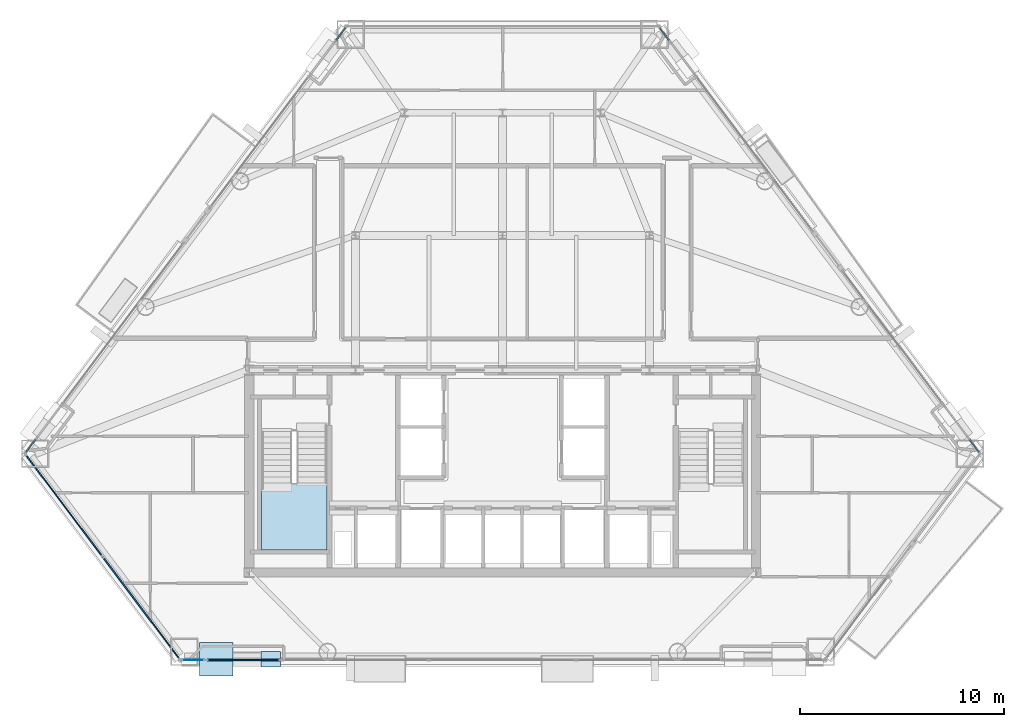
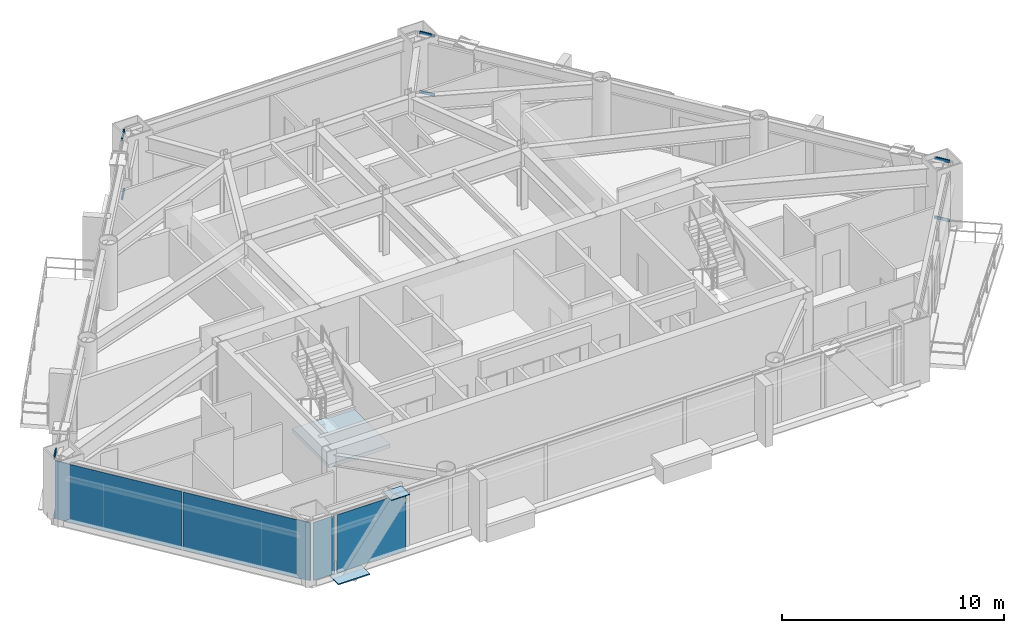
# One storey, part 5 of 14: 8 members, 6 plates, 1 slab, 8 elements without a shape of their own.
"""IFC4 building model written with IfcOpenShell, lengths in metres."""

from ifc_helpers import new_model, si_unit, direction, frame, origin, origin_2d, place, context, subcontext, project, spatial, polyline, rectangle, outline, extrude, source, transform, mapped, material, layer, layer_set, material_profile, profile_set, type_object, type_shapes, element, aggregate, save


model = new_model("IFC4")

# Units and contexts
model_context = context("Model", 3, precision=1e-05, world=origin(), true_north=direction((0.0, 1.0)))
body_context = subcontext(model_context, "Body", "Model", "MODEL_VIEW")
ifc_project = project(units=[si_unit("LENGTHUNIT", "METRE"), si_unit("AREAUNIT", "SQUARE_METRE"), si_unit("VOLUMEUNIT", "CUBIC_METRE"), si_unit("PLANEANGLEUNIT", "RADIAN"), si_unit("MASSUNIT", "GRAM", prefix="KILO")], contexts=[model_context])

# Site, building, storey
site_placement = place(None, origin())
site = spatial("IfcSite", under=ifc_project, at=site_placement, CompositionType="ELEMENT")
building_placement = place(site_placement, origin())
building = spatial("IfcBuilding", under=site, at=building_placement, Name="Talgorran Terracotta Tower", CompositionType="ELEMENT")
storey_placement = place(building_placement, frame((0.0, 0.0, 56.699951171875)))
storey = spatial("IfcBuildingStorey", under=building, at=storey_placement, Name="L14", CompositionType="ELEMENT", Elevation=56.699951171875)

# Curtain wall, members
ifc_material_1 = material(Name="Unitised Low-E Double Glazing", Category="glass")
ifc_layer_1 = layer(ifc_material_1, 0.199951171875, Name="CW_SYS2_RES_LOW")
ifc_layer_set_1 = layer_set([ifc_layer_1], Name="Unitised Low-E Double Glazing")
curtain_wall_type = type_object("IfcCurtainWallType", Name="CW_SYS2_RES_LOW", PredefinedType="NOTDEFINED", material=ifc_layer_set_1)
curtain_wall_1_placement = place(storey_placement, origin())
curtain_wall_1 = element("IfcCurtainWall", 1, at=curtain_wall_1_placement, inside=storey, type_object=curtain_wall_type, Name="CW-L14-F40", PredefinedType="NOTDEFINED")
ifc_material_2 = material(Name="Architectural Aluminium 6063-T6", Category="aluminium")
ifc_material_profile = material_profile(ifc_material_2, rectangle(XDim=0.06494140625, YDim=0.14990234375, at=origin_2d()), Name="CWT65X150")
ifc_profile_set = profile_set([ifc_material_profile], Name="Architectural Aluminium 6063-T6")
member_type = type_object("IfcMemberType", Name="TRN_65X150", PredefinedType="USERDEFINED", material=ifc_profile_set)
member_1_placement = place(storey_placement, frame((23.32275390625, -8.20263671875, 0.032470703125), z_axis=(-0.601407243549, 0.798942630861, 0.0), x_axis=(-0.798942630861, -0.601407243549, 0.0)))
member_1 = element("IfcMember", 2, at=member_1_placement, type_object=member_type, Name="CW-L14-40 transom 1.1", ObjectType="TRANSOM", PredefinedType="USERDEFINED", context=body_context, shape_type="SweptSolid", body=[
    extrude(rectangle(XDim=0.06494140625, YDim=0.14990234375, at=origin_2d()), origin(), (0.0, 0.0, 1.0), 0.7490234375),
])
member_2_placement = place(storey_placement, frame((23.32275390625, -8.20263671875, 3.28759765625), z_axis=(-0.601407243549, 0.798942630861, 0.0), x_axis=(-0.798942630861, -0.601407243549, 0.0)))
member_2 = element("IfcMember", 3, at=member_2_placement, type_object=member_type, Name="CW-L14-40 transom 1.2", ObjectType="TRANSOM", PredefinedType="USERDEFINED", context=body_context, shape_type="SweptSolid", body=[
    extrude(rectangle(XDim=0.06494140625, YDim=0.14990234375, at=origin_2d()), origin(), (0.0, 0.0, 1.0), 0.7490234375),
])
aggregate(curtain_wall_1, [member_1, member_2])

curtain_wall_2_placement = place(storey_placement, origin())
curtain_wall_2 = element("IfcCurtainWall", 4, at=curtain_wall_2_placement, inside=storey, type_object=curtain_wall_type, Name="CW-L14-F41C", PredefinedType="NOTDEFINED")
member_3_placement = place(storey_placement, frame((8.144775390625, 11.959228515625, 0.032470703125), z_axis=(-0.601532474863, 0.798848347113, 0.0), x_axis=(-0.798848347113, -0.601532474863, 0.0)))
member_3 = element("IfcMember", 5, at=member_3_placement, type_object=member_type, Name="CW-L14-41C transom 1.1", ObjectType="TRANSOM", PredefinedType="USERDEFINED", context=body_context, shape_type="SweptSolid", body=[
    extrude(rectangle(XDim=0.06494140625, YDim=0.14990234375, at=origin_2d()), origin(), (0.0, 0.0, 1.0), 0.73876953125),
])
member_4_placement = place(storey_placement, frame((8.144775390625, 11.959228515625, 3.28759765625), z_axis=(-0.601532474863, 0.798848347113, 0.0), x_axis=(-0.798848347113, -0.601532474863, 0.0)))
member_4 = element("IfcMember", 6, at=member_4_placement, type_object=member_type, Name="CW-L14-41C transom 1.2", ObjectType="TRANSOM", PredefinedType="USERDEFINED", context=body_context, shape_type="SweptSolid", body=[
    extrude(rectangle(XDim=0.06494140625, YDim=0.14990234375, at=origin_2d()), origin(), (0.0, 0.0, 1.0), 0.73876953125),
])
aggregate(curtain_wall_2, [member_3, member_4])

curtain_wall_3_placement = place(storey_placement, origin())
curtain_wall_3 = element("IfcCurtainWall", 7, at=curtain_wall_3_placement, inside=storey, type_object=curtain_wall_type, Name="CW-L14-F60", PredefinedType="NOTDEFINED")
member_5_placement = place(storey_placement, frame((-7.700439453125, 12.54931640625, 0.032470703125), z_axis=(-0.601532474863, -0.798848347113, 0.0), x_axis=(0.798848347113, -0.601532474863, 0.0)))
member_5 = element("IfcMember", 8, at=member_5_placement, type_object=member_type, Name="CW-L14-60 transom 1.1", ObjectType="TRANSOM", PredefinedType="USERDEFINED", context=body_context, shape_type="SweptSolid", body=[
    extrude(rectangle(XDim=0.06494140625, YDim=0.14990234375, at=origin_2d()), origin(), (0.0, 0.0, 1.0), 0.73876953125),
])
member_6_placement = place(storey_placement, frame((-7.700439453125, 12.54931640625, 3.28759765625), z_axis=(-0.601532474863, -0.798848347113, 0.0), x_axis=(0.798848347113, -0.601532474863, 0.0)))
member_6 = element("IfcMember", 9, at=member_6_placement, type_object=member_type, Name="CW-L14-60 transom 1.2", ObjectType="TRANSOM", PredefinedType="USERDEFINED", context=body_context, shape_type="SweptSolid", body=[
    extrude(rectangle(XDim=0.06494140625, YDim=0.14990234375, at=origin_2d()), origin(), (0.0, 0.0, 1.0), 0.73876953125),
])
aggregate(curtain_wall_3, [member_5, member_6])

curtain_wall_4_placement = place(storey_placement, origin())
curtain_wall_4 = element("IfcCurtainWall", 10, at=curtain_wall_4_placement, inside=storey, type_object=curtain_wall_type, Name="CW-L14-F61C", PredefinedType="NOTDEFINED")
member_7_placement = place(storey_placement, frame((-22.872314453125, -7.604248046875, 0.032470703125), z_axis=(-0.601407243549, -0.798942630861, 0.0), x_axis=(0.798942630861, -0.601407243549, 0.0)))
member_7 = element("IfcMember", 11, at=member_7_placement, type_object=member_type, Name="CW-L14-61C transom 1.1", ObjectType="TRANSOM", PredefinedType="USERDEFINED", context=body_context, shape_type="SweptSolid", body=[
    extrude(rectangle(XDim=0.06494140625, YDim=0.14990234375, at=origin_2d()), origin(), (0.0, 0.0, 1.0), 0.7490234375),
])
member_8_placement = place(storey_placement, frame((-22.872314453125, -7.604248046875, 3.28759765625), z_axis=(-0.601407243549, -0.798942630861, 0.0), x_axis=(0.798942630861, -0.601407243549, 0.0)))
member_8 = element("IfcMember", 12, at=member_8_placement, type_object=member_type, Name="CW-L14-61C transom 1.2", ObjectType="TRANSOM", PredefinedType="USERDEFINED", context=body_context, shape_type="SweptSolid", body=[
    extrude(rectangle(XDim=0.06494140625, YDim=0.14990234375, at=origin_2d()), origin(), (0.0, 0.0, 1.0), 0.7490234375),
])
aggregate(curtain_wall_4, [member_7, member_8])

# Plates
ifc_material_3 = material(Name="Steel Grade 350 (350L0)", Category="steel")
ifc_layer_2 = layer(ifc_material_3, 0.0400390625, Name="PL_CAP_MN05")
ifc_layer_set_2 = layer_set([ifc_layer_2], Name="Steel Grade 350 (350L0)")
plate_type_1 = type_object("IfcPlateType", Name="PL_CAP_MN05", PredefinedType="USERDEFINED", material=ifc_layer_set_2)
plate_1_placement = place(storey_placement, frame((-11.3466796875, -18.35107421875, 3.2900390625), z_axis=(0.0, 0.0, 1.0), x_axis=(1.0, 0.0, 0.0)))
element("IfcPlate", 13, at=plate_1_placement, inside=storey, type_object=plate_type_1, Name="L14 Diagonal Frame End Cap SWF Top", ObjectType="CAP PLATE", PredefinedType="USERDEFINED", context=body_context, shape_type="SweptSolid", body=[
    extrude(rectangle(XDim=0.9599609375, YDim=0.760009765625, at=origin_2d()), origin(), (0.0, 0.0, 1.0), 0.0400390625),
])
ifc_layer_3 = layer(ifc_material_3, 0.06005859375, Name="PL_NODE_MN01")
ifc_layer_set_3 = layer_set([ifc_layer_3], Name="Steel Grade 350 (350L0)")
plate_type_2 = type_object("IfcPlateType", Name="PL_NODE_MN01", PredefinedType="USERDEFINED", material=ifc_layer_set_3)
plate_2_placement = place(storey_placement, frame((-14.025634765625, -18.35107421875, -0.02001953125), z_axis=(0.0, 0.0, 1.0), x_axis=(1.0, 0.0, 0.0)))
element("IfcPlate", 14, at=plate_2_placement, inside=storey, type_object=plate_type_2, Name="L14 Diagonal Frame End Cap SWF Bot", ObjectType="NODE PLATE", PredefinedType="USERDEFINED", context=body_context, shape_type="SweptSolid", body=[
    extrude(rectangle(XDim=1.64990234375, YDim=1.64990234375, at=origin_2d()), origin(), (0.0, 0.0, 1.0), 0.06005859375),
])

# Stair, slab
ifc_material_4 = material(Name="Concrete C40/50", Category="concrete")
stair_type = type_object("IfcStairType", Name="ST_FIRE_SCISSOR", PredefinedType="HALF_TURN_STAIR", material=ifc_material_4)
stair_placement = place(storey_placement, origin())
stair = element("IfcStair", 15, at=stair_placement, inside=storey, type_object=stair_type, Name="L14 West Protected Fire Stair ST-01", PredefinedType="HALF_TURN_STAIR")
ifc_layer_4 = layer(ifc_material_4, 0.199951171875, Name="SL_LANDING_200")
ifc_layer_set_4 = layer_set([ifc_layer_4], Name="Concrete C40/50")
slab_type = type_object("IfcSlabType", Name="SL_LANDING_200", PredefinedType="LANDING", material=ifc_layer_set_4)
slab_placement = place(storey_placement, frame((0.0, 0.0, 1.60009765625)))
slab = element("IfcSlab", 16, at=slab_placement, type_object=slab_type, Name="ST-01 landing 1", PredefinedType="LANDING", context=body_context, shape_type="SweptSolid", body=[
    extrude(outline(polyline([(-11.800048828125, -9.719970703125), (-11.800048828125, -13.0), (-8.60009765625, -13.0), (-8.60009765625, -9.719970703125), (-11.800048828125, -9.719970703125)])), origin(), (0.0, 0.0, 1.0), 0.199951171875),
])
aggregate(stair, [slab])

# Curtain wall, plates
curtain_wall_5_placement = place(storey_placement, origin())
curtain_wall_5 = element("IfcCurtainWall", 17, at=curtain_wall_5_placement, inside=storey, type_object=curtain_wall_type, Name="CW-L14-F0", PredefinedType="NOTDEFINED")
ifc_material_5 = material(Name="Terracotta Insulated Spandrel", Category="masonry")
ifc_layer_5 = layer(ifc_material_5, 0.06494140625, Name="PLT_SPANDREL_TERRA")
ifc_layer_set_5 = layer_set([ifc_layer_5], Name="Terracotta Insulated Spandrel")
plate_type_3 = type_object("IfcPlateType", Name="PLT_SPANDREL_TERRA", PredefinedType="SHEET", material=ifc_layer_set_5)
shared_shape_1 = source(origin(), body_context, "Body", "SweptSolid", [
    extrude(rectangle(XDim=6.226318359375, YDim=0.06494140625, at=origin_2d()), origin(), (0.0, 0.0, 1.0), 3.18994140625),
])
plate_3_placement = place(storey_placement, frame((-21.474609375, -10.82568359375, 0.065185546875), z_axis=(0.0, 0.0, 1.0), x_axis=(0.601442440957, -0.798916134657, 0.0)))
plate_3 = element("IfcPlate", 18, at=plate_3_placement, type_object=plate_type_3, Name="CW-L14-0 panel 1.1", PredefinedType="CURTAIN_PANEL", context=body_context, shape_type="MappedRepresentation", body=[
    mapped(shared_shape_1, transform((0.0, 0.0, 0.0), scale=1.0)),
])
plate_4_placement = place(storey_placement, frame((-17.690673828125, -15.85205078125, 0.065185546875), z_axis=(0.0, 0.0, 1.0), x_axis=(0.601442440957, -0.798916134657, 0.0)))
plate_4 = element("IfcPlate", 19, at=plate_4_placement, type_object=plate_type_3, Name="CW-L14-0 panel 2.1", PredefinedType="CURTAIN_PANEL", context=body_context, shape_type="MappedRepresentation", body=[
    mapped(shared_shape_1, transform((0.0, 0.0, 0.0), scale=1.0)),
])
aggregate(curtain_wall_5, [plate_3, plate_4])

# Curtain wall, plate
curtain_wall_6_placement = place(storey_placement, origin())
curtain_wall_6 = element("IfcCurtainWall", 20, at=curtain_wall_6_placement, inside=storey, type_object=curtain_wall_type, Name="CW-L14-F1", PredefinedType="NOTDEFINED")
ifc_material_6 = material(Name="Low-E Laminated Vision Glass", Category="glass")
ifc_layer_6 = layer(ifc_material_6, 0.028076171875, Name="PLT_VISION_28")
ifc_layer_set_6 = layer_set([ifc_layer_6], Name="Low-E Laminated Vision Glass")
plate_type_4 = type_object("IfcPlateType", Name="PLT_VISION_28", PredefinedType="CURTAIN_PANEL", material=ifc_layer_set_6)
shared_shape_2 = source(origin(), body_context, "Body", "SweptSolid", [
    extrude(rectangle(XDim=1.1083984375, YDim=0.028076171875, at=origin_2d()), origin(), (0.0, 0.0, 1.0), 3.18994140625),
])
type_shapes(plate_type_4, [shared_shape_2])
plate_5_placement = place(storey_placement, frame((-15.159912109375, -18.39111328125, 0.065185546875), z_axis=(0.0, 0.0, 1.0), x_axis=(1.0, 0.0, 0.0)))
plate_5 = element("IfcPlate", 21, at=plate_5_placement, type_object=plate_type_4, Name="CW-L14-1 panel 1.1", PredefinedType="CURTAIN_PANEL", context=body_context, shape_type="MappedRepresentation", body=[
    mapped(shared_shape_2, transform((0.0, 0.0, 0.0), scale=1.0)),
])
aggregate(curtain_wall_6, [plate_5])

curtain_wall_7_placement = place(storey_placement, origin())
curtain_wall_7 = element("IfcCurtainWall", 22, at=curtain_wall_7_placement, inside=storey, type_object=curtain_wall_type, Name="CW-L14-F1B", PredefinedType="NOTDEFINED")
shared_shape_3 = source(origin(), body_context, "Body", "SweptSolid", [
    extrude(rectangle(XDim=3.560546875, YDim=0.06494140625, at=origin_2d()), origin(), (0.0, 0.0, 1.0), 3.18994140625),
])
type_shapes(plate_type_3, [shared_shape_1, shared_shape_3])
plate_6_placement = place(storey_placement, frame((-12.685302734375, -18.39111328125, 0.065185546875), z_axis=(0.0, 0.0, 1.0), x_axis=(1.0, 0.0, 0.0)))
plate_6 = element("IfcPlate", 23, at=plate_6_placement, type_object=plate_type_3, Name="CW-L14-1B panel 1.1", PredefinedType="CURTAIN_PANEL", context=body_context, shape_type="MappedRepresentation", body=[
    mapped(shared_shape_3, transform((0.0, 0.0, 0.0), scale=1.0)),
])
aggregate(curtain_wall_7, [plate_6])

save(model, "model.ifc")
